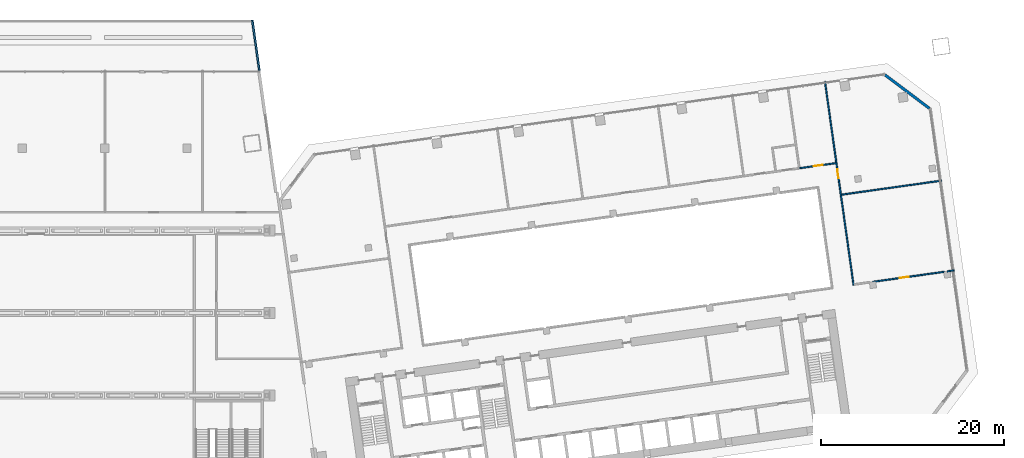
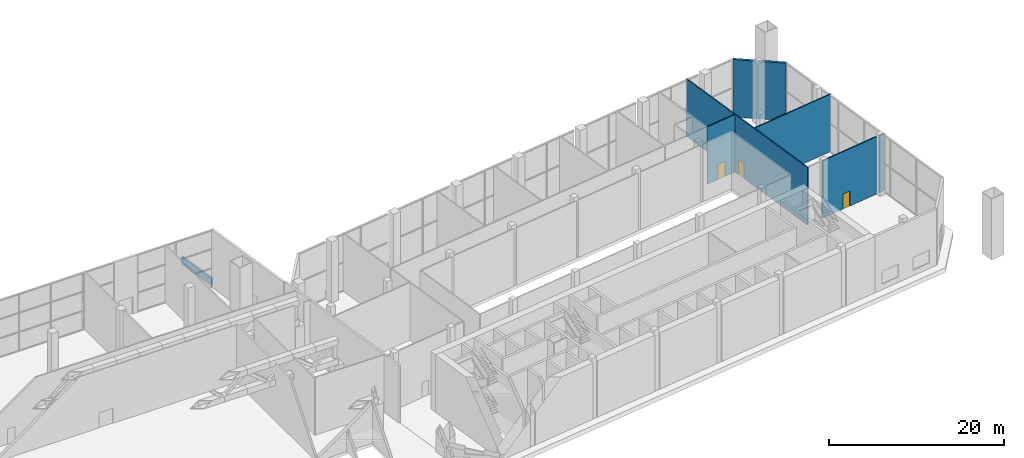
# One storey, part 25 of 31: 8 walls, 3 doors, 3 openings.
"""IFC4 building model written with IfcOpenShell, lengths in metres."""

from ifc_helpers import new_model, si_unit, direction, frame, frame_2d, origin, place, context, subcontext, project, spatial, rectangle, extrude, material, layer, layer_set, type_object, element, fill, save


model = new_model("IFC4")

# Units and contexts
model_context = context("Model", 3, precision=1e-05, world=origin(), true_north=direction((0.0, 1.0)))
body_context = subcontext(model_context, "Body", "Model", "MODEL_VIEW")
ifc_project = project(units=[si_unit("LENGTHUNIT", "METRE"), si_unit("AREAUNIT", "SQUARE_METRE"), si_unit("VOLUMEUNIT", "CUBIC_METRE"), si_unit("PLANEANGLEUNIT", "RADIAN"), si_unit("MASSUNIT", "GRAM", prefix="KILO")], contexts=[model_context])

# Site, building, storey
site_placement = place(None, origin())
site = spatial("IfcSite", under=ifc_project, at=site_placement, CompositionType="ELEMENT")
building_placement = place(site_placement, origin())
building = spatial("IfcBuilding", under=site, at=building_placement, Name="Mirante Cascada Hotel Towers", CompositionType="ELEMENT")
storey_placement = place(building_placement, frame((0.0, 0.0, 9.0)))
storey = spatial("IfcBuildingStorey", under=building, at=storey_placement, Name="L01", CompositionType="ELEMENT", Elevation=9.0)

# Wall, opening, door
ifc_material_1 = material(Name="Masonry block", Category="masonry")
ifc_layer_1 = layer(ifc_material_1, 0.15)
ifc_layer_set_1 = layer_set([ifc_layer_1], Name="Corridor wall 150 block")
wall_type_1 = type_object("IfcWallType", Name="Corridor wall 150 block", PredefinedType="PARTITIONING", material=ifc_layer_set_1)
wall_1_placement = place(storey_placement, frame((88.9052, 16.4526, 0.0), z_axis=(0.0, 0.0, 1.0), x_axis=(0.1391738, -0.990268, 0.0)))
wall_1 = element("IfcWall", 1, at=wall_1_placement, inside=storey, type_object=wall_type_1, Name="Corridor wall T2 L01", PredefinedType="PARTITIONING", context=body_context, shape_type="SweptSolid", body=[
    extrude(rectangle(XDim=13.55, YDim=0.15, at=frame_2d((6.775, 0.0))), origin(), (0.0, 0.0, 1.0), 8.0),
])
opening_1_placement = place(wall_1_placement, frame((0.775, 0.0, 0.0)))
opening_1 = element("IfcOpeningElement", 2, at=opening_1_placement, cuts=wall_1, Name="Opening DP2-L01-04", PredefinedType="OPENING", context=body_context, shape_type="SweptSolid", body=[
    extrude(rectangle(XDim=1.0, YDim=2.1, at=frame_2d((0.5, 1.05))), frame((0.0, 0.075, 0.0), z_axis=(0.0, -1.0, 0.0), x_axis=(1.0, 0.0, 0.0)), (0.0, 0.0, 1.0), 0.15),
])
ifc_material_2 = material(Name="Timber door leaf", Category="wood")
door_type = type_object("IfcDoorType", Name="Single door 1000x2100", OperationType="NOTDEFINED", PredefinedType="DOOR", material=ifc_material_2)
door_1_placement = place(opening_1_placement, origin())
door_1 = element("IfcDoor", 3, at=door_1_placement, inside=storey, type_object=door_type, Name="Door DP2-L01-04", OperationType="SINGLE_SWING_RIGHT", OverallHeight=2.1, OverallWidth=1.0, PredefinedType="DOOR", context=body_context, shape_type="SweptSolid", body=[
    extrude(rectangle(XDim=1.0, YDim=2.1, at=frame_2d((0.5, 1.05))), frame((0.0, 0.025, 0.0), z_axis=(0.0, -1.0, 0.0), x_axis=(1.0, 0.0, 0.0)), (0.0, 0.0, 1.0), 0.05),
])
fill(opening_1, door_1)

wall_2_placement = place(storey_placement, frame((84.9266, 15.8177, 0.0), z_axis=(0.0, 0.0, 1.0), x_axis=(0.9902667, 0.1391828, 0.0)))
wall_2 = element("IfcWall", 4, at=wall_2_placement, inside=storey, type_object=wall_type_1, Name="Corridor wall T2 L01", PredefinedType="PARTITIONING", context=body_context, shape_type="SweptSolid", body=[
    extrude(rectangle(XDim=4.1032, YDim=0.15, at=frame_2d((2.0516, 0.0))), origin(), (0.0, 0.0, 1.0), 8.0),
])
opening_2_placement = place(wall_2_placement, frame((1.5141, 0.0, 0.0)))
opening_2 = element("IfcOpeningElement", 5, at=opening_2_placement, cuts=wall_2, Name="Opening DP2-L01-10", PredefinedType="OPENING", context=body_context, shape_type="SweptSolid", body=[
    extrude(rectangle(XDim=1.0, YDim=2.1, at=frame_2d((0.5, 1.05))), frame((0.0, 0.075, 0.0), z_axis=(0.0, -1.0, 0.0), x_axis=(1.0, 0.0, 0.0)), (0.0, 0.0, 1.0), 0.15),
])
door_2_placement = place(opening_2_placement, origin())
door_2 = element("IfcDoor", 6, at=door_2_placement, inside=storey, type_object=door_type, Name="Door DP2-L01-10", OperationType="SINGLE_SWING_RIGHT", OverallHeight=2.1, OverallWidth=1.0, PredefinedType="DOOR", context=body_context, shape_type="SweptSolid", body=[
    extrude(rectangle(XDim=1.0, YDim=2.1, at=frame_2d((0.5, 1.05))), frame((0.0, 0.025, 0.0), z_axis=(0.0, -1.0, 0.0), x_axis=(1.0, 0.0, 0.0)), (0.0, 0.0, 1.0), 0.05),
])
fill(opening_2, door_2)

wall_3_placement = place(storey_placement, frame((92.8842, 3.4044, 0.0), z_axis=(0.0, 0.0, 1.0), x_axis=(0.9902679, 0.1391746, 0.0)))
wall_3 = element("IfcWall", 7, at=wall_3_placement, inside=storey, type_object=wall_type_1, Name="Corridor wall T2 L01", PredefinedType="PARTITIONING", context=body_context, shape_type="SweptSolid", body=[
    extrude(rectangle(XDim=7.8714, YDim=0.15, at=frame_2d((3.9357, 0.0))), origin(), (0.0, 0.0, 1.0), 8.0),
])
opening_3_placement = place(wall_3_placement, frame((2.9582, 0.0, 0.0)))
opening_3 = element("IfcOpeningElement", 8, at=opening_3_placement, cuts=wall_3, Name="Opening DP2-L01-03", PredefinedType="OPENING", context=body_context, shape_type="SweptSolid", body=[
    extrude(rectangle(XDim=1.0, YDim=2.1, at=frame_2d((0.5, 1.05))), frame((0.0, 0.075, 0.0), z_axis=(0.0, -1.0, 0.0), x_axis=(1.0, 0.0, 0.0)), (0.0, 0.0, 1.0), 0.15),
])
door_3_placement = place(opening_3_placement, origin())
door_3 = element("IfcDoor", 9, at=door_3_placement, inside=storey, type_object=door_type, Name="Door DP2-L01-03", OperationType="SINGLE_SWING_LEFT", OverallHeight=2.1, OverallWidth=1.0, PredefinedType="DOOR", context=body_context, shape_type="SweptSolid", body=[
    extrude(rectangle(XDim=1.0, YDim=2.1, at=frame_2d((0.5, 1.05))), frame((0.0, 0.025, 0.0), z_axis=(0.0, -1.0, 0.0), x_axis=(1.0, 0.0, 0.0)), (0.0, 0.0, 1.0), 0.05),
])
fill(opening_3, door_3)

# Walls
wall_4_placement = place(storey_placement, frame((101.0045, 4.5456, 0.0), z_axis=(0.0, 0.0, 1.0), x_axis=(0.9902566, 0.1392548, 0.0)))
element("IfcWall", 10, at=wall_4_placement, inside=storey, type_object=wall_type_1, Name="Corridor wall T2 L01", PredefinedType="PARTITIONING", context=body_context, shape_type="SweptSolid", body=[
    extrude(rectangle(XDim=0.7756, YDim=0.15, at=frame_2d((0.3878, 0.0))), origin(), (0.0, 0.0, 1.0), 8.0),
])
ifc_material_3 = material(Name="Masonry block", Category="masonry")
ifc_layer_2 = layer(ifc_material_3, 0.15)
ifc_layer_set_2 = layer_set([ifc_layer_2], Name="Partition 150 block")
wall_type_2 = type_object("IfcWallType", Name="Partition 150 block", PredefinedType="PARTITIONING", material=ifc_layer_set_2)
wall_5_placement = place(storey_placement, frame((87.663, 25.2907, 0.0), z_axis=(0.0, 0.0, 1.0), x_axis=(0.1391725, -0.9902682, 0.0)))
element("IfcWall", 11, at=wall_5_placement, inside=storey, type_object=wall_type_2, Name="Partition T2 L01", PredefinedType="PARTITIONING", context=body_context, shape_type="SweptSolid", body=[
    extrude(rectangle(XDim=8.935, YDim=0.15, at=frame_2d((4.4675, 0.0))), origin(), (0.0, 0.0, 1.0), 8.0),
])
wall_6_placement = place(storey_placement, frame((89.477, 12.9228, 0.0), z_axis=(0.0, 0.0, 1.0), x_axis=(0.9902679, 0.1391746, 0.0)))
element("IfcWall", 12, at=wall_6_placement, inside=storey, type_object=wall_type_2, Name="Partition T2 L01", PredefinedType="PARTITIONING", context=body_context, shape_type="SweptSolid", body=[
    extrude(rectangle(XDim=11.025, YDim=0.15, at=frame_2d((5.5125, 0.0))), origin(), (0.0, 0.0, 1.0), 8.0),
])
ifc_material_4 = material(Name="Precast concrete C40/50", Category="concrete")
ifc_layer_3 = layer(ifc_material_4, 0.3)
ifc_layer_set_3 = layer_set([ifc_layer_3], Name="Precast concrete C40/50 cladding wall 300")
wall_type_3 = type_object("IfcWallType", Name="Precast concrete C40/50 cladding wall 300", PredefinedType="STANDARD", material=ifc_layer_set_3)
wall_7_placement = place(storey_placement, frame((99.0919, 22.3343, 0.0), z_axis=(0.0, 0.0, 1.0), x_axis=(-0.7986362, 0.6018141, 0.0)))
element("IfcWall", 13, at=wall_7_placement, inside=storey, type_object=wall_type_3, Name="Corner cladding wall T2 L01 outer front", PredefinedType="STANDARD", context=body_context, shape_type="SweptSolid", body=[
    extrude(rectangle(XDim=6.1157, YDim=0.3, at=frame_2d((3.0578, 0.0))), origin(), (0.0, 0.0, 1.0), 8.0),
])
ifc_material_5 = material(Name="Precast concrete C40/50", Category="concrete")
ifc_layer_4 = layer(ifc_material_5, 0.2)
ifc_layer_set_4 = layer_set([ifc_layer_4], Name="Terrace parapet wall 200 concrete C40/50")
wall_type_4 = type_object("IfcWallType", Name="Terrace parapet wall 200 concrete C40/50", PredefinedType="PARAPET", material=ifc_layer_set_4)
wall_8_placement = place(storey_placement, frame((25.8956, 26.4861, 0.0), z_axis=(0.0, 0.0, 1.0), x_axis=(-0.1391776, 0.9902674, 0.0)))
element("IfcWall", 14, at=wall_8_placement, inside=storey, type_object=wall_type_4, Name="Terrace parapet podium L00 1.2.1", PredefinedType="PARAPET", context=body_context, shape_type="SweptSolid", body=[
    extrude(rectangle(XDim=5.5541, YDim=0.2, at=frame_2d((2.777, 0.0))), origin(), (0.0, 0.0, 1.0), 1.1),
])

save(model, "model.ifc")
